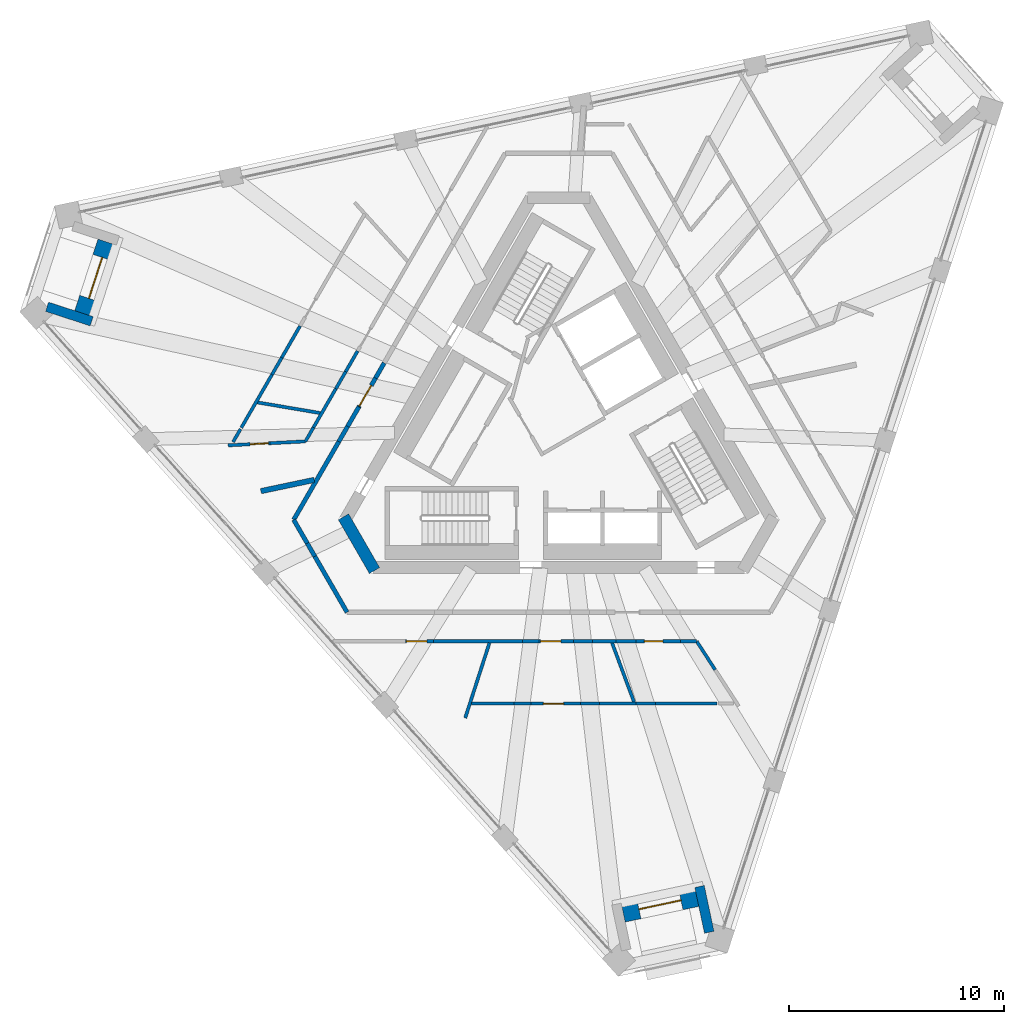
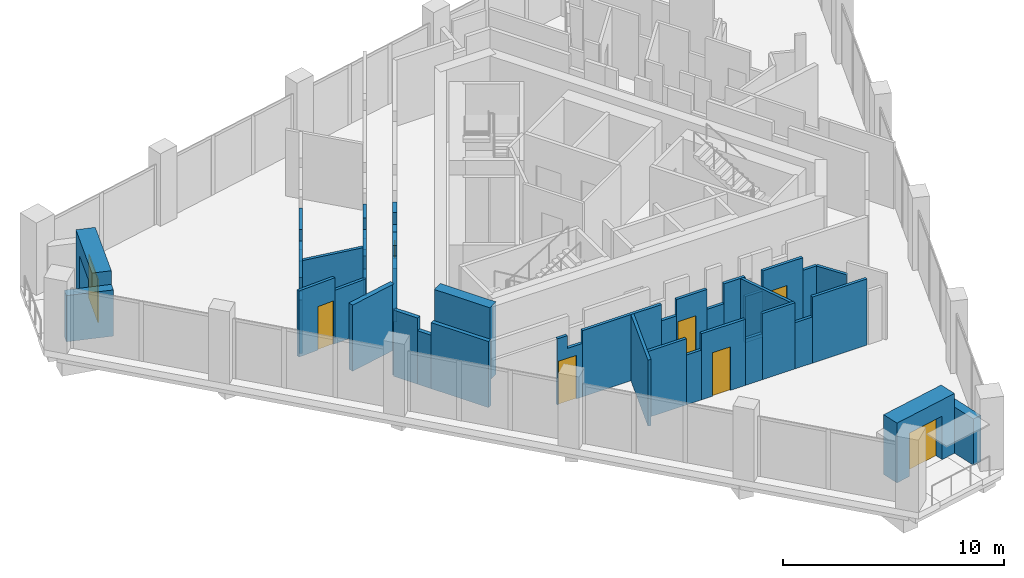
# One storey, part 10 of 17: 44 walls, 8 doors, 8 openings.
"""IFC4 building model written with IfcOpenShell, lengths in metres."""

from ifc_helpers import new_model, si_unit, direction, frame, frame_2d, origin, place, context, subcontext, project, spatial, polyline, rectangle, outline, extrude, material, layer, layer_set, type_object, element, fill, save


model = new_model("IFC4")

# Units and contexts
model_context = context("Model", 3, precision=1e-05, world=origin(), true_north=direction((0.0, 1.0)))
body_context = subcontext(model_context, "Body", "Model", "MODEL_VIEW")
ifc_project = project(units=[si_unit("LENGTHUNIT", "METRE"), si_unit("AREAUNIT", "SQUARE_METRE"), si_unit("VOLUMEUNIT", "CUBIC_METRE"), si_unit("PLANEANGLEUNIT", "RADIAN"), si_unit("MASSUNIT", "GRAM", prefix="KILO")], contexts=[model_context])

# Site, building, storey
site_placement = place(None, origin())
site = spatial("IfcSite", under=ifc_project, at=site_placement, CompositionType="ELEMENT")
building_placement = place(site_placement, origin())
building = spatial("IfcBuilding", under=site, at=building_placement, Name="Tramontana Tower", CompositionType="ELEMENT")
storey_placement = place(building_placement, frame((0.0, 0.0, 348.39990234375)))
storey = spatial("IfcBuildingStorey", under=building, at=storey_placement, Name="L80", CompositionType="ELEMENT", Elevation=348.39990234375)

# Walls
ifc_material_1 = material(Name="Concrete 70 MPa", Category="concrete")
ifc_layer_1 = layer(ifc_material_1, 0.550048828125)
ifc_layer_set_1 = layer_set([ifc_layer_1], Name="Core wall 550 70 MPa")
wall_type_1 = type_object("IfcWallType", Name="Core wall 550 70 MPa", PredefinedType="SHEAR", material=ifc_layer_set_1)
wall_1_placement = place(storey_placement, frame((-10.009765625, -4.112548828125, 0.0), z_axis=(0.0, 0.0, 1.0), x_axis=(0.499995765644, -0.866027848477, 0.0)))
element("IfcWall", 1, at=wall_1_placement, inside=storey, type_object=wall_type_1, Name="Core wall C2 L80", PredefinedType="SHEAR", context=body_context, shape_type="SweptSolid", body=[
    extrude(rectangle(XDim=2.88671875, YDim=0.550048828125, at=frame_2d((1.443359375, 0.0))), origin(), (0.0, 0.0, 1.0), 4.0),
])
ifc_material_2 = material(Name="Blockwork", Category="masonry")
ifc_layer_2 = layer(ifc_material_2, 0.199951171875)
ifc_layer_set_2 = layer_set([ifc_layer_2], Name="ENTRY WALL 200")
wall_type_2 = type_object("IfcWallType", Name="ENTRY WALL 200", PredefinedType="SOLIDWALL", material=ifc_layer_set_2)
wall_2_placement = place(storey_placement, frame((-9.84375, -8.550048828125, 0.0), z_axis=(0.0, 0.0, 1.0), x_axis=(-0.500003959331, 0.866023117852, 0.0)))
element("IfcWall", 2, at=wall_2_placement, inside=storey, type_object=wall_type_2, Name="Wall v82-ew2-0", PredefinedType="SOLIDWALL", context=body_context, shape_type="SweptSolid", body=[
    extrude(rectangle(XDim=3.0029296875, YDim=0.199951171875, at=frame_2d((1.50146484375, 0.0))), origin(), (0.0, 0.0, 1.0), 3.650146484375),
])
wall_3_placement = place(storey_placement, frame((-11.34521484375, -5.949462890625, 0.0), z_axis=(0.0, 0.0, 1.0), x_axis=(-0.499993523031, 0.866029143232, 0.0)))
element("IfcWall", 3, at=wall_3_placement, inside=storey, type_object=wall_type_2, Name="Wall v82-ew2-1", PredefinedType="SOLIDWALL", context=body_context, shape_type="SweptSolid", body=[
    extrude(rectangle(XDim=0.70166015625, YDim=0.199951171875, at=frame_2d((0.350830078125, 0.0))), origin(), (0.0, 0.0, 1.0), 2.9501953125),
])
wall_4_placement = place(storey_placement, frame((-11.696044921875, -5.341796875, 0.0), z_axis=(0.0, 0.0, 1.0), x_axis=(-0.500013012896, 0.866017890655, 0.0)))
element("IfcWall", 4, at=wall_4_placement, inside=storey, type_object=wall_type_2, Name="Wall v82-ew2-2", PredefinedType="SOLIDWALL", context=body_context, shape_type="SweptSolid", body=[
    extrude(rectangle(XDim=1.2607421875, YDim=0.199951171875, at=frame_2d((0.63037109375, 0.0))), origin(), (0.0, 0.0, 1.0), 3.650146484375),
])
wall_5_placement = place(storey_placement, frame((-12.326416015625, -4.25, 0.0), z_axis=(0.0, 0.0, 1.0), x_axis=(0.499982771656, 0.866035350345, 0.0)))
element("IfcWall", 5, at=wall_5_placement, inside=storey, type_object=wall_type_2, Name="Wall v82-ew3-0", PredefinedType="SOLIDWALL", context=body_context, shape_type="SweptSolid", body=[
    extrude(rectangle(XDim=4.194580078125, YDim=0.199951171875, at=frame_2d((2.09716796875, 0.0))), origin(), (0.0, 0.0, 1.0), 3.650146484375),
])
wall_6_placement = place(storey_placement, frame((-10.229248046875, -0.617431640625, 0.0), z_axis=(0.0, 0.0, 1.0), x_axis=(0.5001686003, 0.865928040471, 0.0)))
element("IfcWall", 6, at=wall_6_placement, inside=storey, type_object=wall_type_2, Name="Wall v82-ew3-1", PredefinedType="SOLIDWALL", context=body_context, shape_type="SweptSolid", body=[
    extrude(rectangle(XDim=0.821044921875, YDim=0.199951171875, at=frame_2d((0.41064453125, 0.0))), origin(), (0.0, 0.0, 1.0), 2.9501953125),
])
wall_7_placement = place(storey_placement, frame((-9.818603515625, 0.093505859375, 0.0), z_axis=(0.0, 0.0, 1.0), x_axis=(0.499890179513, 0.866088799389, 0.0)))
element("IfcWall", 7, at=wall_7_placement, inside=storey, type_object=wall_type_2, Name="Wall v82-ew3-2", PredefinedType="SOLIDWALL", context=body_context, shape_type="SweptSolid", body=[
    extrude(rectangle(XDim=1.050048828125, YDim=0.199951171875, at=frame_2d((0.52490234375, 0.0))), origin(), (0.0, 0.0, 1.0), 3.650146484375),
])

# Wall, opening, door
wall_8_placement = place(storey_placement, frame((-9.293701171875, 1.0029296875, 0.0), z_axis=(0.0, 0.0, 1.0), x_axis=(0.500054401891, 0.86599399256, 0.0)))
wall_8 = element("IfcWall", 8, at=wall_8_placement, inside=storey, type_object=wall_type_2, Name="Wall v82-ew3-3", PredefinedType="SOLIDWALL", context=body_context, shape_type="SweptSolid", body=[
    extrude(outline(polyline([(0.0, 0.0), (1.549072265625, 0.0), (1.549072265625, 2.550048828125), (0.605224609375, 2.550048828125), (0.605224609375, 3.650146484375), (0.0, 3.650146484375), (0.0, 0.0)])), frame((0.0, 0.10009765625, 0.0), z_axis=(0.0, -1.0, 0.0), x_axis=(1.0, 0.0, 0.0)), (0.0, 0.0, 1.0), 0.199951171875),
])
opening_1_placement = place(wall_8_placement, frame((0.050048828125, 0.0, 0.0)))
opening_1 = element("IfcOpeningElement", 9, at=opening_1_placement, cuts=wall_8, Name="Opening B8C-15", PredefinedType="OPENING", context=body_context, shape_type="SweptSolid", body=[
    extrude(rectangle(XDim=1.10009765625, YDim=2.39990234375, at=frame_2d((0.550048828125, 1.199951171875))), frame((0.0, 0.10986328125, 0.0), z_axis=(0.0, -1.0, 0.0), x_axis=(1.0, 0.0, 0.0)), (0.0, 0.0, 1.0), 0.219970703125),
])
ifc_material_3 = material(Name="Painted timber", Category="wood")
door_type_1 = type_object("IfcDoorType", Name="DOOR ENTRY 1100", OperationType="SINGLE_SWING_LEFT", PredefinedType="DOOR", material=ifc_material_3)
door_1_placement = place(opening_1_placement, origin())
door_1 = element("IfcDoor", 10, at=door_1_placement, inside=storey, type_object=door_type_1, Name="Door B8C-15", OperationType="SINGLE_SWING_LEFT", OverallHeight=2.39990234375, OverallWidth=1.10009765625, PredefinedType="DOOR", context=body_context, shape_type="SweptSolid", body=[
    extrude(rectangle(XDim=1.10009765625, YDim=2.39990234375, at=frame_2d((0.550048828125, 1.199951171875))), frame((0.0, 0.02490234375, 0.0), z_axis=(0.0, -1.0, 0.0), x_axis=(1.0, 0.0, 0.0)), (0.0, 0.0, 1.0), 0.050048828125),
])
fill(opening_1, door_1)

# Walls
wall_9_placement = place(storey_placement, frame((-8.51904296875, 2.344482421875, 0.0), z_axis=(0.0, 0.0, 1.0), x_axis=(0.499914554297, 0.866074730264, 0.0)))
element("IfcWall", 11, at=wall_9_placement, inside=storey, type_object=wall_type_2, Name="Wall v82-ew3-4", PredefinedType="SOLIDWALL", context=body_context, shape_type="SweptSolid", body=[
    extrude(rectangle(XDim=0.806884765625, YDim=0.199951171875, at=frame_2d((0.4033203125, 0.0))), origin(), (0.0, 0.0, 1.0), 3.650146484375),
])
ifc_material_4 = material(Name="Precast concrete 60 MPa", Category="concrete")
ifc_layer_3 = layer(ifc_material_4, 0.449951171875)
ifc_layer_set_3 = layer_set([ifc_layer_3], Name="Precast concrete 60 MPa, 450 mm")
wall_type_3 = type_object("IfcWallType", Name="EW1 Stone-faced precast wall 450", PredefinedType="SOLIDWALL", material=ifc_layer_set_3)
for number, where, z_axis, x_axis, name in (
    (12, (-23.79638671875, 5.6552734375, 0.0), (0.0, 0.0, 1.0), (0.951064526973, -0.308992338955, 0.0), "Corner loggia side wall L80 K80l"),
    (13, (7.00048828125, -23.435791015625, 0.0), (0.0, 0.0, 1.0), (-0.207929769172, 0.978143757886, 0.0), "Corner loggia side wall L80 K81l"),
):
    element("IfcWall", number, at=place(storey_placement, frame(where, z_axis=z_axis, x_axis=x_axis)), inside=storey, type_object=wall_type_3, Name=name, PredefinedType="SOLIDWALL", context=body_context, shape_type="SweptSolid", body=[
        extrude(rectangle(XDim=2.17919921875, YDim=0.449951171875, at=frame_2d((1.089599609375, 0.0))), origin(), (0.0, 0.0, 1.0), 2.550048828125),
    ])

# Wall, opening, door
ifc_material_5 = material(Name="Precast concrete 60 MPa", Category="concrete")
ifc_layer_4 = layer(ifc_material_5, 0.89990234375)
ifc_layer_set_4 = layer_set([ifc_layer_4], Name="EW2 Stone-faced corner loggia wall 900")
wall_type_4 = type_object("IfcWallType", Name="EW2 Stone-faced corner loggia wall 900", PredefinedType="SOLIDWALL", material=ifc_layer_set_4)
wall_10_placement = place(storey_placement, frame((-22.082275390625, 5.3349609375, 0.0), z_axis=(0.0, 0.0, 1.0), x_axis=(0.309019824916, 0.951055596592, 0.0)))
wall_10 = element("IfcWall", 14, at=wall_10_placement, inside=storey, type_object=wall_type_4, Name="Corner loggia wall L80 K80", PredefinedType="SOLIDWALL", context=body_context, shape_type="SweptSolid", body=[
    extrude(rectangle(XDim=3.5, YDim=0.89990234375, at=frame_2d((1.75, 0.0))), origin(), (0.0, 0.0, 1.0), 3.300048828125),
])
opening_2_placement = place(wall_10_placement, frame((0.75, 0.0, 0.0)))
opening_2 = element("IfcOpeningElement", 15, at=opening_2_placement, cuts=wall_10, Name="Opening BD-80C", PredefinedType="OPENING", context=body_context, shape_type="SweptSolid", body=[
    extrude(rectangle(XDim=2.0, YDim=2.39990234375, at=frame_2d((1.0, 1.199951171875))), frame((0.0, 0.4599609375, 0.0), z_axis=(0.0, -1.0, 0.0), x_axis=(1.0, 0.0, 0.0)), (0.0, 0.0, 1.0), 0.919921875),
])
ifc_material_6 = material(Name="Aluminum frame, double glazing unit", Category="aluminium")
door_type_2 = type_object("IfcDoorType", Name="BC1 Sliding door 2 x 2.4", OperationType="SLIDING_TO_LEFT", PredefinedType="DOOR", material=ifc_material_6)
door_2_placement = place(opening_2_placement, origin())
door_2 = element("IfcDoor", 16, at=door_2_placement, inside=storey, type_object=door_type_2, Name="Corner loggia door L80 K80", OperationType="SLIDING_TO_LEFT", OverallHeight=2.39990234375, OverallWidth=2.0, PredefinedType="DOOR", context=body_context, shape_type="SweptSolid", body=[
    extrude(rectangle(XDim=2.0, YDim=2.39990234375, at=frame_2d((1.0, 1.199951171875))), frame((0.0, 0.02490234375, 0.0), z_axis=(0.0, -1.0, 0.0), x_axis=(1.0, 0.0, 0.0)), (0.0, 0.0, 1.0), 0.050048828125),
])
fill(opening_2, door_2)

wall_11_placement = place(storey_placement, frame((6.4208984375, -21.791259765625, 0.0), z_axis=(0.0, 0.0, 1.0), x_axis=(-0.978154241128, -0.207880447765, 0.0)))
wall_11 = element("IfcWall", 17, at=wall_11_placement, inside=storey, type_object=wall_type_4, Name="Corner loggia wall L80 K81", PredefinedType="SOLIDWALL", context=body_context, shape_type="SweptSolid", body=[
    extrude(rectangle(XDim=3.499755859375, YDim=0.89990234375, at=frame_2d((1.75, 0.0))), origin(), (0.0, 0.0, 1.0), 3.300048828125),
])
opening_3_placement = place(wall_11_placement, frame((0.75, 0.0, 0.0)))
opening_3 = element("IfcOpeningElement", 18, at=opening_3_placement, cuts=wall_11, Name="Opening BD-81C", PredefinedType="OPENING", context=body_context, shape_type="SweptSolid", body=[
    extrude(rectangle(XDim=2.0, YDim=2.39990234375, at=frame_2d((1.0, 1.199951171875))), frame((0.0, 0.4599609375, 0.0), z_axis=(0.0, -1.0, 0.0), x_axis=(1.0, 0.0, 0.0)), (0.0, 0.0, 1.0), 0.919921875),
])
door_3_placement = place(opening_3_placement, origin())
door_3 = element("IfcDoor", 19, at=door_3_placement, inside=storey, type_object=door_type_2, Name="Corner loggia door L80 K81", OperationType="SLIDING_TO_LEFT", OverallHeight=2.39990234375, OverallWidth=2.0, PredefinedType="DOOR", context=body_context, shape_type="SweptSolid", body=[
    extrude(rectangle(XDim=2.0, YDim=2.39990234375, at=frame_2d((1.0, 1.199951171875))), frame((0.0, 0.02490234375, 0.0), z_axis=(0.0, -1.0, 0.0), x_axis=(1.0, 0.0, 0.0)), (0.0, 0.0, 1.0), 0.050048828125),
])
fill(opening_3, door_3)

ifc_material_7 = material(Name="Gypsum board partition")
ifc_layer_5 = layer(ifc_material_7, 0.14990234375)
ifc_layer_set_5 = layer_set([ifc_layer_5], Name="PARTITION 150")
wall_type_5 = type_object("IfcWallType", Name="PARTITION 150", PredefinedType="PARTITIONING", material=ifc_layer_set_5)
wall_12_placement = place(storey_placement, frame((-15.370849609375, -0.7880859375, 0.0), z_axis=(0.0, 0.0, 1.0), x_axis=(0.998683196323, 0.051301787316, 0.0)))
wall_12 = element("IfcWall", 20, at=wall_12_placement, inside=storey, type_object=wall_type_5, Name="Wall v82-pw00-0", PredefinedType="PARTITIONING", context=body_context, shape_type="SweptSolid", body=[
    extrude(rectangle(XDim=1.936767578125, YDim=0.14990234375, at=frame_2d((0.96826171875, 0.0))), origin(), (0.0, 0.0, 1.0), 3.650146484375),
])
opening_4_placement = place(wall_12_placement, frame((1.0205078125, 0.0, 0.0)))
opening_4 = element("IfcOpeningElement", 21, at=opening_4_placement, cuts=wall_12, Name="Opening B8C-02", PredefinedType="OPENING", context=body_context, shape_type="SweptSolid", body=[
    extrude(rectangle(XDim=0.85009765625, YDim=2.39990234375, at=frame_2d((0.425048828125, 1.199951171875))), frame((0.0, 0.0849609375, 0.0), z_axis=(0.0, -1.0, 0.0), x_axis=(1.0, 0.0, 0.0)), (0.0, 0.0, 1.0), 0.169921875),
])
ifc_material_8 = material(Name="Painted timber", Category="wood")
door_type_3 = type_object("IfcDoorType", Name="DOOR BATH 850", OperationType="SINGLE_SWING_LEFT", PredefinedType="DOOR", material=ifc_material_8)
door_4_placement = place(opening_4_placement, origin())
door_4 = element("IfcDoor", 22, at=door_4_placement, inside=storey, type_object=door_type_3, Name="Door B8C-02", OperationType="SINGLE_SWING_RIGHT", OverallHeight=2.39990234375, OverallWidth=0.85009765625, PredefinedType="DOOR", context=body_context, shape_type="SweptSolid", body=[
    extrude(rectangle(XDim=0.85009765625, YDim=2.39990234375, at=frame_2d((0.425048828125, 1.199951171875))), frame((0.0, 0.02490234375, 0.0), z_axis=(0.0, -1.0, 0.0), x_axis=(1.0, 0.0, 0.0)), (0.0, 0.0, 1.0), 0.050048828125),
])
fill(opening_4, door_4)

# Walls
wall_13_placement = place(storey_placement, frame((-13.4365234375, -0.688720703125, 0.0), z_axis=(0.0, 0.0, 1.0), x_axis=(0.99869287416, 0.05111304238, 0.0)))
element("IfcWall", 23, at=wall_13_placement, inside=storey, type_object=wall_type_5, Name="Wall v82-pw00-1", PredefinedType="PARTITIONING", context=body_context, shape_type="SweptSolid", body=[
    extrude(rectangle(XDim=1.657470703125, YDim=0.14990234375, at=frame_2d((0.82861328125, 0.0))), origin(), (0.0, 0.0, 1.0), 2.9501953125),
])
wall_14_placement = place(storey_placement, frame((-15.14453125, -0.631103515625, 0.0), z_axis=(0.0, 0.0, 1.0), x_axis=(0.499966449638, 0.866044773228, 0.0)))
element("IfcWall", 24, at=wall_14_placement, inside=storey, type_object=wall_type_5, Name="Wall v82-pw01-0", PredefinedType="PARTITIONING", context=body_context, shape_type="SweptSolid", body=[
    extrude(rectangle(XDim=0.69287109375, YDim=0.14990234375, at=frame_2d((0.346435546875, 0.0))), origin(), (0.0, 0.0, 1.0), 2.9501953125),
])
wall_15_placement = place(storey_placement, frame((-14.76318359375, 0.029541015625, 0.0), z_axis=(0.0, 0.0, 1.0), x_axis=(0.500003887042, 0.866023159588, 0.0)))
element("IfcWall", 25, at=wall_15_placement, inside=storey, type_object=wall_type_5, Name="Wall v82-pw02-0", PredefinedType="PARTITIONING", context=body_context, shape_type="SweptSolid", body=[
    extrude(rectangle(XDim=2.853515625, YDim=0.14990234375, at=frame_2d((1.4267578125, 0.0))), origin(), (0.0, 0.0, 1.0), 3.650146484375),
])
wall_16_placement = place(storey_placement, frame((-13.33642578125, 2.500732421875, 0.0), z_axis=(0.0, 0.0, 1.0), x_axis=(0.500144624036, 0.865941888956, 0.0)))
element("IfcWall", 26, at=wall_16_placement, inside=storey, type_object=wall_type_5, Name="Wall v82-pw02-1", PredefinedType="PARTITIONING", context=body_context, shape_type="SweptSolid", body=[
    extrude(rectangle(XDim=0.917724609375, YDim=0.14990234375, at=frame_2d((0.458984375, 0.0))), origin(), (0.0, 0.0, 1.0), 2.550048828125),
])
wall_17_placement = place(storey_placement, frame((-12.87744140625, 3.29541015625, 0.0), z_axis=(0.0, 0.0, 1.0), x_axis=(0.499876388284, 0.86609675928, 0.0)))
element("IfcWall", 27, at=wall_17_placement, inside=storey, type_object=wall_type_5, Name="Wall v82-pw02-2", PredefinedType="PARTITIONING", context=body_context, shape_type="SweptSolid", body=[
    extrude(rectangle(XDim=1.693359375, YDim=0.14990234375, at=frame_2d((0.8466796875, 0.0))), origin(), (0.0, 0.0, 1.0), 3.650146484375),
])
wall_18_placement = place(storey_placement, frame((-11.779541015625, -0.60302734375, 0.0), z_axis=(0.0, 0.0, 1.0), x_axis=(0.49999788721, 0.866026623601, 0.0)))
element("IfcWall", 28, at=wall_18_placement, inside=storey, type_object=wall_type_5, Name="Wall v82-pw03-0", PredefinedType="PARTITIONING", context=body_context, shape_type="SweptSolid", body=[
    extrude(rectangle(XDim=0.74169921875, YDim=0.14990234375, at=frame_2d((0.370849609375, 0.0))), origin(), (0.0, 0.0, 1.0), 2.9501953125),
])
wall_19_placement = place(storey_placement, frame((-11.40869140625, 0.039306640625, 0.0), z_axis=(0.0, 0.0, 1.0), x_axis=(0.499969202016, 0.866043184279, 0.0)))
element("IfcWall", 29, at=wall_19_placement, inside=storey, type_object=wall_type_5, Name="Wall v82-pw03-1", PredefinedType="PARTITIONING", context=body_context, shape_type="SweptSolid", body=[
    extrude(rectangle(XDim=2.084228515625, YDim=0.14990234375, at=frame_2d((1.0419921875, 0.0))), origin(), (0.0, 0.0, 1.0), 3.650146484375),
])
wall_20_placement = place(storey_placement, frame((-10.36669921875, 1.84423828125, 0.0), z_axis=(0.0, 0.0, 1.0), x_axis=(0.499945096919, 0.866057099772, 0.0)))
element("IfcWall", 30, at=wall_20_placement, inside=storey, type_object=wall_type_5, Name="Wall v82-pw03-2", PredefinedType="PARTITIONING", context=body_context, shape_type="SweptSolid", body=[
    extrude(rectangle(XDim=0.91748046875, YDim=0.14990234375, at=frame_2d((0.458740234375, 0.0))), origin(), (0.0, 0.0, 1.0), 2.550048828125),
])
wall_21_placement = place(storey_placement, frame((-9.907958984375, 2.638916015625, 0.0), z_axis=(0.0, 0.0, 1.0), x_axis=(0.500009088543, 0.866020156448, 0.0)))
element("IfcWall", 31, at=wall_21_placement, inside=storey, type_object=wall_type_5, Name="Wall v82-pw03-3", PredefinedType="PARTITIONING", context=body_context, shape_type="SweptSolid", body=[
    extrude(rectangle(XDim=1.10595703125, YDim=0.14990234375, at=frame_2d((0.552978515625, 0.0))), origin(), (0.0, 0.0, 1.0), 3.650146484375),
])
wall_22_placement = place(storey_placement, frame((-11.0283203125, 0.70263671875, 0.0), z_axis=(0.0, 0.0, 1.0), x_axis=(-0.985959074205, 0.166987137207, 0.0)))
element("IfcWall", 32, at=wall_22_placement, inside=storey, type_object=wall_type_5, Name="Wall v82-pw05", PredefinedType="PARTITIONING", context=body_context, shape_type="SweptSolid", body=[
    extrude(rectangle(XDim=3.08935546875, YDim=0.14990234375, at=frame_2d((1.544677734375, 0.0))), origin(), (0.0, 0.0, 1.0), 3.650146484375),
])
wall_23_placement = place(storey_placement, frame((-4.349609375, -13.4697265625, 0.0), z_axis=(0.0, 0.0, 1.0), x_axis=(0.307278594184, 0.951619601288, 0.0)))
element("IfcWall", 33, at=wall_23_placement, inside=storey, type_object=wall_type_5, Name="Wall v82-pw07", PredefinedType="PARTITIONING", context=body_context, shape_type="SweptSolid", body=[
    extrude(rectangle(XDim=3.67236328125, YDim=0.14990234375, at=frame_2d((1.836181640625, 0.0))), origin(), (0.0, 0.0, 1.0), 3.650146484375),
])
wall_24_placement = place(storey_placement, frame((2.481201171875, -9.9755859375, 0.0), z_axis=(0.0, 0.0, 1.0), x_axis=(0.348431034579, -0.937334419587, 0.0)))
element("IfcWall", 34, at=wall_24_placement, inside=storey, type_object=wall_type_5, Name="Wall v82-pw10", PredefinedType="PARTITIONING", context=body_context, shape_type="SweptSolid", body=[
    extrude(rectangle(XDim=2.93310546875, YDim=0.14990234375, at=frame_2d((1.466552734375, 0.0))), origin(), (0.0, 0.0, 1.0), 3.650146484375),
])
wall_25_placement = place(storey_placement, frame((6.413330078125, -9.89990234375, 0.0), z_axis=(0.0, 0.0, 1.0), x_axis=(-1.0, 0.0, 0.0)))
element("IfcWall", 35, at=wall_25_placement, inside=storey, type_object=wall_type_5, Name="Wall v82-pw14-0", PredefinedType="PARTITIONING", context=body_context, shape_type="SweptSolid", body=[
    extrude(rectangle(XDim=0.7431640625, YDim=0.14990234375, at=frame_2d((0.37158203125, 0.0))), origin(), (0.0, 0.0, 1.0), 2.9501953125),
])

# Wall, opening, door
wall_26_placement = place(storey_placement, frame((5.670166015625, -9.89990234375, 0.0), z_axis=(0.0, 0.0, 1.0), x_axis=(-1.0, 0.0, 0.0)))
wall_26 = element("IfcWall", 36, at=wall_26_placement, inside=storey, type_object=wall_type_5, Name="Wall v82-pw14-1", PredefinedType="PARTITIONING", context=body_context, shape_type="SweptSolid", body=[
    extrude(rectangle(XDim=2.083984375, YDim=0.14990234375, at=frame_2d((1.0419921875, 0.0))), origin(), (0.0, 0.0, 1.0), 3.650146484375),
])
opening_5_placement = place(wall_26_placement, frame((0.831787109375, 0.0, 0.0)))
opening_5 = element("IfcOpeningElement", 37, at=opening_5_placement, cuts=wall_26, Name="Opening B8C-05", PredefinedType="OPENING", context=body_context, shape_type="SweptSolid", body=[
    extrude(rectangle(XDim=0.85009765625, YDim=2.39990234375, at=frame_2d((0.425048828125, 1.199951171875))), frame((0.0, 0.0849609375, 0.0), z_axis=(0.0, -1.0, 0.0), x_axis=(1.0, 0.0, 0.0)), (0.0, 0.0, 1.0), 0.169921875),
])
door_5_placement = place(opening_5_placement, origin())
door_5 = element("IfcDoor", 38, at=door_5_placement, inside=storey, type_object=door_type_3, Name="Door B8C-05", OperationType="SINGLE_SWING_LEFT", OverallHeight=2.39990234375, OverallWidth=0.85009765625, PredefinedType="DOOR", context=body_context, shape_type="SweptSolid", body=[
    extrude(rectangle(XDim=0.85009765625, YDim=2.39990234375, at=frame_2d((0.425048828125, 1.199951171875))), frame((0.0, 0.02490234375, 0.0), z_axis=(0.0, -1.0, 0.0), x_axis=(1.0, 0.0, 0.0)), (0.0, 0.0, 1.0), 0.050048828125),
])
fill(opening_5, door_5)

# Walls
wall_27_placement = place(storey_placement, frame((3.586181640625, -9.89990234375, 0.0), z_axis=(0.0, 0.0, 1.0), x_axis=(-1.0, 0.0, 0.0)))
element("IfcWall", 39, at=wall_27_placement, inside=storey, type_object=wall_type_5, Name="Wall v82-pw14-2", PredefinedType="PARTITIONING", context=body_context, shape_type="SweptSolid", body=[
    extrude(rectangle(XDim=0.91748046875, YDim=0.14990234375, at=frame_2d((0.458740234375, 0.0))), origin(), (0.0, 0.0, 1.0), 2.550048828125),
])
wall_28_placement = place(storey_placement, frame((2.668701171875, -9.89990234375, 0.0), z_axis=(0.0, 0.0, 1.0), x_axis=(-1.0, 0.0, 0.0)))
element("IfcWall", 40, at=wall_28_placement, inside=storey, type_object=wall_type_5, Name="Wall v82-pw14-3", PredefinedType="PARTITIONING", context=body_context, shape_type="SweptSolid", body=[
    extrude(rectangle(XDim=1.10595703125, YDim=0.14990234375, at=frame_2d((0.552978515625, 0.0))), origin(), (0.0, 0.0, 1.0), 3.650146484375),
])
wall_29_placement = place(storey_placement, frame((1.562744140625, -9.89990234375, 0.0), z_axis=(0.0, 0.0, 1.0), x_axis=(-1.0, 0.0, 0.0)))
element("IfcWall", 41, at=wall_29_placement, inside=storey, type_object=wall_type_5, Name="Wall v82-pw14-4", PredefinedType="PARTITIONING", context=body_context, shape_type="SweptSolid", body=[
    extrude(rectangle(XDim=0.880615234375, YDim=0.14990234375, at=frame_2d((0.4404296875, 0.0))), origin(), (0.0, 0.0, 1.0), 2.550048828125),
])

# Wall, opening, door
wall_30_placement = place(storey_placement, frame((0.68212890625, -9.89990234375, 0.0), z_axis=(0.0, 0.0, 1.0), x_axis=(-1.0, 0.0, 0.0)))
wall_30 = element("IfcWall", 42, at=wall_30_placement, inside=storey, type_object=wall_type_5, Name="Wall v82-pw14-5", PredefinedType="PARTITIONING", context=body_context, shape_type="SweptSolid", body=[
    extrude(rectangle(XDim=1.59423828125, YDim=0.14990234375, at=frame_2d((0.797119140625, 0.0))), origin(), (0.0, 0.0, 1.0), 3.650146484375),
])
opening_6_placement = place(wall_30_placement, frame((0.5791015625, 0.0, 0.0)))
opening_6 = element("IfcOpeningElement", 43, at=opening_6_placement, cuts=wall_30, Name="Opening B8C-04", PredefinedType="OPENING", context=body_context, shape_type="SweptSolid", body=[
    extrude(rectangle(XDim=0.949951171875, YDim=2.39990234375, at=frame_2d((0.47509765625, 1.199951171875))), frame((0.0, 0.0849609375, 0.0), z_axis=(0.0, -1.0, 0.0), x_axis=(1.0, 0.0, 0.0)), (0.0, 0.0, 1.0), 0.169921875),
])
ifc_material_9 = material(Name="Painted timber", Category="wood")
door_type_4 = type_object("IfcDoorType", Name="DOOR ROOM 950", OperationType="SINGLE_SWING_LEFT", PredefinedType="DOOR", material=ifc_material_9)
door_6_placement = place(opening_6_placement, origin())
door_6 = element("IfcDoor", 44, at=door_6_placement, inside=storey, type_object=door_type_4, Name="Door B8C-04", OperationType="SINGLE_SWING_RIGHT", OverallHeight=2.39990234375, OverallWidth=0.949951171875, PredefinedType="DOOR", context=body_context, shape_type="SweptSolid", body=[
    extrude(rectangle(XDim=0.949951171875, YDim=2.39990234375, at=frame_2d((0.47509765625, 1.199951171875))), frame((0.0, 0.02490234375, 0.0), z_axis=(0.0, -1.0, 0.0), x_axis=(1.0, 0.0, 0.0)), (0.0, 0.0, 1.0), 0.050048828125),
])
fill(opening_6, door_6)

# Walls
wall_31_placement = place(storey_placement, frame((-0.912109375, -9.89990234375, 0.0), z_axis=(0.0, 0.0, 1.0), x_axis=(-1.0, 0.0, 0.0)))
element("IfcWall", 45, at=wall_31_placement, inside=storey, type_object=wall_type_5, Name="Wall v82-pw14-6", PredefinedType="PARTITIONING", context=body_context, shape_type="SweptSolid", body=[
    extrude(rectangle(XDim=0.78173828125, YDim=0.14990234375, at=frame_2d((0.390869140625, 0.0))), origin(), (0.0, 0.0, 1.0), 2.75),
])
wall_32_placement = place(storey_placement, frame((-1.69384765625, -9.89990234375, 0.0), z_axis=(0.0, 0.0, 1.0), x_axis=(-1.0, 0.0, 0.0)))
element("IfcWall", 46, at=wall_32_placement, inside=storey, type_object=wall_type_5, Name="Wall v82-pw14-7", PredefinedType="PARTITIONING", context=body_context, shape_type="SweptSolid", body=[
    extrude(rectangle(XDim=4.11962890625, YDim=0.14990234375, at=frame_2d((2.059814453125, 0.0))), origin(), (0.0, 0.0, 1.0), 3.650146484375),
])

# Wall, opening, door
wall_33_placement = place(storey_placement, frame((-5.8134765625, -9.89990234375, 0.0), z_axis=(0.0, 0.0, 1.0), x_axis=(-1.0, 0.0, 0.0)))
wall_33 = element("IfcWall", 47, at=wall_33_placement, inside=storey, type_object=wall_type_5, Name="Wall v82-pw14-8", PredefinedType="PARTITIONING", context=body_context, shape_type="SweptSolid", body=[
    extrude(outline(polyline([(0.0, 0.0), (1.318115234375, 0.0), (1.318115234375, 3.650146484375), (0.796875, 3.650146484375), (0.796875, 2.9501953125), (0.0, 2.9501953125), (0.0, 0.0)])), frame((0.0, 0.074951171875, 0.0), z_axis=(0.0, -1.0, 0.0), x_axis=(1.0, 0.0, 0.0)), (0.0, 0.0, 1.0), 0.14990234375),
])
opening_7_placement = place(wall_33_placement, frame((0.318115234375, 0.0, 0.0)))
opening_7 = element("IfcOpeningElement", 48, at=opening_7_placement, cuts=wall_33, Name="Opening B8C-06", PredefinedType="OPENING", context=body_context, shape_type="SweptSolid", body=[
    extrude(rectangle(XDim=0.949951171875, YDim=2.39990234375, at=frame_2d((0.47509765625, 1.199951171875))), frame((0.0, 0.0849609375, 0.0), z_axis=(0.0, -1.0, 0.0), x_axis=(1.0, 0.0, 0.0)), (0.0, 0.0, 1.0), 0.169921875),
])
door_7_placement = place(opening_7_placement, origin())
door_7 = element("IfcDoor", 49, at=door_7_placement, inside=storey, type_object=door_type_4, Name="Door B8C-06", OperationType="SINGLE_SWING_RIGHT", OverallHeight=2.39990234375, OverallWidth=0.949951171875, PredefinedType="DOOR", context=body_context, shape_type="SweptSolid", body=[
    extrude(rectangle(XDim=0.949951171875, YDim=2.39990234375, at=frame_2d((0.47509765625, 1.199951171875))), frame((0.0, 0.02490234375, 0.0), z_axis=(0.0, -1.0, 0.0), x_axis=(1.0, 0.0, 0.0)), (0.0, 0.0, 1.0), 0.050048828125),
])
fill(opening_7, door_7)

# Walls
wall_34_placement = place(storey_placement, frame((7.35595703125, -12.800048828125, 0.0), z_axis=(0.0, 0.0, 1.0), x_axis=(-1.0, 0.0, 0.0)))
element("IfcWall", 50, at=wall_34_placement, inside=storey, type_object=wall_type_5, Name="Wall v82-pw18-0", PredefinedType="PARTITIONING", context=body_context, shape_type="SweptSolid", body=[
    extrude(rectangle(XDim=2.853515625, YDim=0.14990234375, at=frame_2d((1.4267578125, 0.0))), origin(), (0.0, 0.0, 1.0), 3.650146484375),
])
wall_35_placement = place(storey_placement, frame((4.50244140625, -12.800048828125, 0.0), z_axis=(0.0, 0.0, 1.0), x_axis=(-1.0, 0.0, 0.0)))
element("IfcWall", 51, at=wall_35_placement, inside=storey, type_object=wall_type_5, Name="Wall v82-pw18-1", PredefinedType="PARTITIONING", context=body_context, shape_type="SweptSolid", body=[
    extrude(rectangle(XDim=0.917724609375, YDim=0.14990234375, at=frame_2d((0.458984375, 0.0))), origin(), (0.0, 0.0, 1.0), 2.550048828125),
])
wall_36_placement = place(storey_placement, frame((3.584716796875, -12.800048828125, 0.0), z_axis=(0.0, 0.0, 1.0), x_axis=(-1.0, 0.0, 0.0)))
element("IfcWall", 52, at=wall_36_placement, inside=storey, type_object=wall_type_5, Name="Wall v82-pw18-2", PredefinedType="PARTITIONING", context=body_context, shape_type="SweptSolid", body=[
    extrude(rectangle(XDim=1.693115234375, YDim=0.14990234375, at=frame_2d((0.8466796875, 0.0))), origin(), (0.0, 0.0, 1.0), 3.650146484375),
])
wall_37_placement = place(storey_placement, frame((1.8916015625, -12.800048828125, 0.0), z_axis=(0.0, 0.0, 1.0), x_axis=(-1.0, 0.0, 0.0)))
element("IfcWall", 53, at=wall_37_placement, inside=storey, type_object=wall_type_5, Name="Wall v82-pw18-3", PredefinedType="PARTITIONING", context=body_context, shape_type="SweptSolid", body=[
    extrude(rectangle(XDim=0.880615234375, YDim=0.14990234375, at=frame_2d((0.4404296875, 0.0))), origin(), (0.0, 0.0, 1.0), 2.550048828125),
])

# Wall, opening, door
wall_38_placement = place(storey_placement, frame((1.010986328125, -12.800048828125, 0.0), z_axis=(0.0, 0.0, 1.0), x_axis=(-1.0, 0.0, 0.0)))
wall_38 = element("IfcWall", 54, at=wall_38_placement, inside=storey, type_object=wall_type_5, Name="Wall v82-pw18-4", PredefinedType="PARTITIONING", context=body_context, shape_type="SweptSolid", body=[
    extrude(rectangle(XDim=2.3046875, YDim=0.14990234375, at=frame_2d((1.15234375, 0.0))), origin(), (0.0, 0.0, 1.0), 3.650146484375),
])
opening_8_placement = place(wall_38_placement, frame((0.777587890625, 0.0, 0.0)))
opening_8 = element("IfcOpeningElement", 55, at=opening_8_placement, cuts=wall_38, Name="Opening B8C-13", PredefinedType="OPENING", context=body_context, shape_type="SweptSolid", body=[
    extrude(rectangle(XDim=0.949951171875, YDim=2.39990234375, at=frame_2d((0.47509765625, 1.199951171875))), frame((0.0, 0.0849609375, 0.0), z_axis=(0.0, -1.0, 0.0), x_axis=(1.0, 0.0, 0.0)), (0.0, 0.0, 1.0), 0.169921875),
])
door_8_placement = place(opening_8_placement, origin())
door_8 = element("IfcDoor", 56, at=door_8_placement, inside=storey, type_object=door_type_4, Name="Door B8C-13", OperationType="SINGLE_SWING_LEFT", OverallHeight=2.39990234375, OverallWidth=0.949951171875, PredefinedType="DOOR", context=body_context, shape_type="SweptSolid", body=[
    extrude(rectangle(XDim=0.949951171875, YDim=2.39990234375, at=frame_2d((0.47509765625, 1.199951171875))), frame((0.0, 0.02490234375, 0.0), z_axis=(0.0, -1.0, 0.0), x_axis=(1.0, 0.0, 0.0)), (0.0, 0.0, 1.0), 0.050048828125),
])
fill(opening_8, door_8)

# Walls
wall_39_placement = place(storey_placement, frame((-1.293701171875, -12.800048828125, 0.0), z_axis=(0.0, 0.0, 1.0), x_axis=(-1.0, 0.0, 0.0)))
element("IfcWall", 57, at=wall_39_placement, inside=storey, type_object=wall_type_5, Name="Wall v82-pw18-5", PredefinedType="PARTITIONING", context=body_context, shape_type="SweptSolid", body=[
    extrude(rectangle(XDim=0.78173828125, YDim=0.14990234375, at=frame_2d((0.390869140625, 0.0))), origin(), (0.0, 0.0, 1.0), 2.75),
])
wall_40_placement = place(storey_placement, frame((-2.075439453125, -12.800048828125, 0.0), z_axis=(0.0, 0.0, 1.0), x_axis=(-1.0, 0.0, 0.0)))
element("IfcWall", 58, at=wall_40_placement, inside=storey, type_object=wall_type_5, Name="Wall v82-pw18-6", PredefinedType="PARTITIONING", context=body_context, shape_type="SweptSolid", body=[
    extrude(rectangle(XDim=1.97900390625, YDim=0.14990234375, at=frame_2d((0.989501953125, 0.0))), origin(), (0.0, 0.0, 1.0), 3.650146484375),
])
wall_41_placement = place(storey_placement, frame((7.273193359375, -11.22412109375, 0.0), z_axis=(0.0, 0.0, 1.0), x_axis=(-0.543598289007, 0.839345518954, 0.0)))
element("IfcWall", 59, at=wall_41_placement, inside=storey, type_object=wall_type_5, Name="Wall v82-pw21-1", PredefinedType="PARTITIONING", context=body_context, shape_type="SweptSolid", body=[
    extrude(rectangle(XDim=1.574951171875, YDim=0.14990234375, at=frame_2d((0.78759765625, 0.0))), origin(), (0.0, 0.0, 1.0), 2.9501953125),
])
ifc_material_10 = material(Name="Blockwork", Category="masonry")
ifc_layer_6 = layer(ifc_material_10, 0.25)
ifc_layer_set_6 = layer_set([ifc_layer_6], Name="PARTY WALL 250")
wall_type_6 = type_object("IfcWallType", Name="PARTY WALL 250", PredefinedType="SOLIDWALL", material=ifc_layer_set_6)
wall_42_placement = place(storey_placement, frame((-11.371337890625, -2.3955078125, 0.0), z_axis=(0.0, 0.0, 1.0), x_axis=(-0.978528309704, -0.20611246228, 0.0)))
element("IfcWall", 60, at=wall_42_placement, inside=storey, type_object=wall_type_6, Name="Wall v82-pw04", PredefinedType="SOLIDWALL", context=body_context, shape_type="SweptSolid", body=[
    extrude(rectangle(XDim=2.53369140625, YDim=0.25, at=frame_2d((1.266845703125, 0.0))), origin(), (0.0, 0.0, 1.0), 3.650146484375),
])

save(model, "model.ifc")
